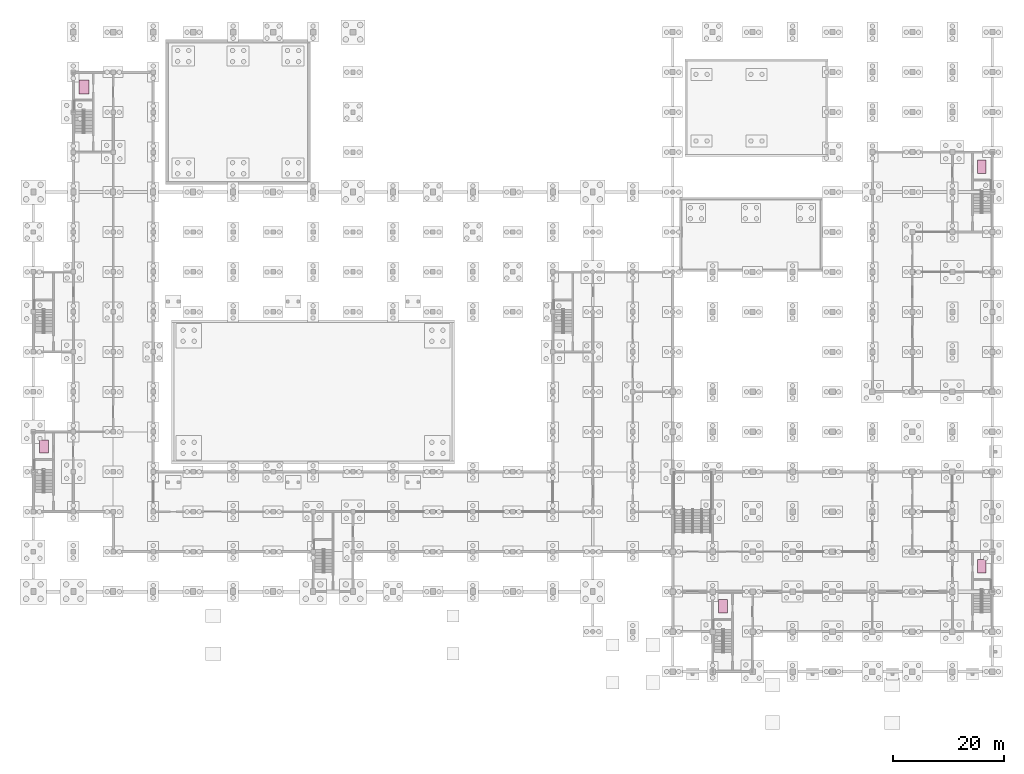
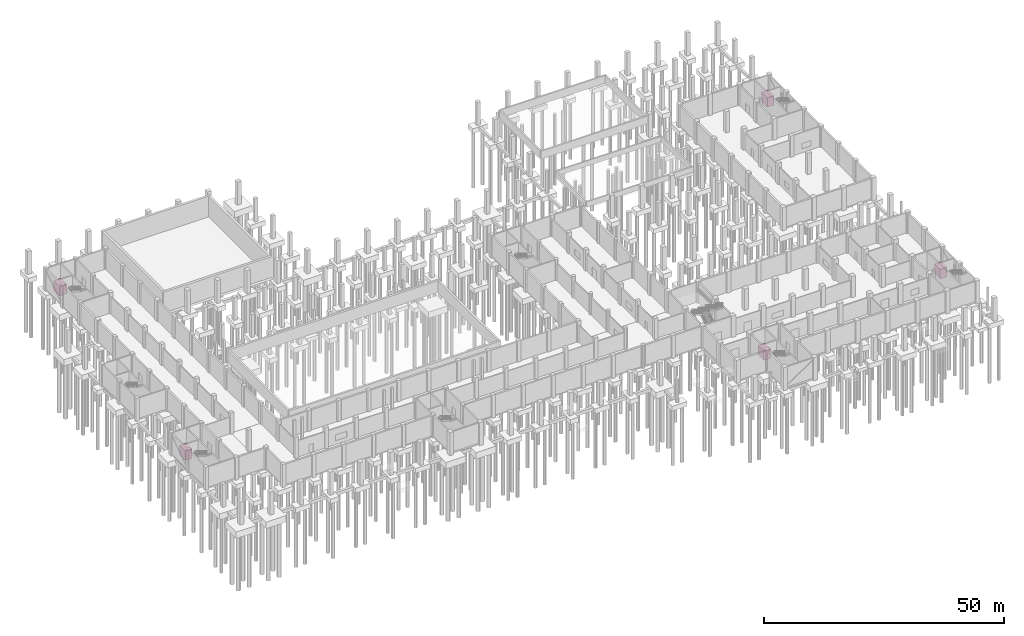
# One storey, part 35 of 35: 5 transport elements.
"""IFC4 building model written with IfcOpenShell, lengths in metres."""

from ifc_helpers import new_model, si_unit, direction, frame, origin, origin_2d, place, context, subcontext, project, spatial, rectangle, extrude, material, type_object, element, save


model = new_model("IFC4")

# Units and contexts
model_context = context("Model", 3, precision=1e-05, world=origin(), true_north=direction((0.0, 1.0)))
body_context = subcontext(model_context, "Body", "Model", "MODEL_VIEW")
ifc_project = project(units=[si_unit("LENGTHUNIT", "METRE"), si_unit("AREAUNIT", "SQUARE_METRE"), si_unit("VOLUMEUNIT", "CUBIC_METRE"), si_unit("PLANEANGLEUNIT", "RADIAN"), si_unit("MASSUNIT", "GRAM", prefix="KILO")], contexts=[model_context])

# Site, building, storey
site_placement = place(None, origin())
site = spatial("IfcSite", under=ifc_project, at=site_placement, CompositionType="ELEMENT")
building_placement = place(site_placement, origin())
building = spatial("IfcBuilding", under=site, at=building_placement, Name="Vesperath Aquatics Centre", CompositionType="ELEMENT")
storey_placement = place(building_placement, frame((0.0, 0.0, -5.39990234375)))
storey = spatial("IfcBuildingStorey", under=building, at=storey_placement, Name="B1", CompositionType="ELEMENT", Elevation=-5.39990234375)

# Transport elements
ifc_material = material(Name="Brushed stainless steel lift cab", Category="steel")
transport_element_type_1 = type_object("IfcTransportElementType", Name="LF-LFT-FF1", PredefinedType="ELEVATOR", material=ifc_material)
transport_element_1_placement = place(storey_placement, frame((124.300048828125, 11.75, 0.0), z_axis=(0.0, 0.0, 1.0), x_axis=(1.0, 0.0, 0.0)))
element("IfcTransportElement", 1, at=transport_element_1_placement, inside=storey, type_object=transport_element_type_1, Name="Firefighting Lift LFT-FF1", PredefinedType="ELEVATOR", context=body_context, shape_type="SweptSolid", body=[
    extrude(rectangle(XDim=1.60009765625, YDim=2.39990234375, at=origin_2d()), origin(), (0.0, 0.0, 1.0), 2.449951171875),
])
transport_element_type_2 = type_object("IfcTransportElementType", Name="LF-LFT-FF2", PredefinedType="ELEVATOR", material=ifc_material)
transport_element_2_placement = place(storey_placement, frame((170.89990234375, 18.949951171875, 0.0), z_axis=(0.0, 0.0, 1.0), x_axis=(1.0, 0.0, 0.0)))
element("IfcTransportElement", 2, at=transport_element_2_placement, inside=storey, type_object=transport_element_type_2, Name="Firefighting Lift LFT-FF2", PredefinedType="ELEVATOR", context=body_context, shape_type="SweptSolid", body=[
    extrude(rectangle(XDim=1.60009765625, YDim=2.39990234375, at=origin_2d()), origin(), (0.0, 0.0, 1.0), 2.449951171875),
])
transport_element_type_3 = type_object("IfcTransportElementType", Name="LF-LFT-G1", PredefinedType="ELEVATOR", material=ifc_material)
transport_element_3_placement = place(storey_placement, frame((9.10009765625, 105.35009765625, 0.0), z_axis=(0.0, 0.0, 1.0), x_axis=(1.0, 0.0, 0.0)))
element("IfcTransportElement", 3, at=transport_element_3_placement, inside=storey, type_object=transport_element_type_3, Name="Passenger Lift LFT-G1", PredefinedType="ELEVATOR", context=body_context, shape_type="SweptSolid", body=[
    extrude(rectangle(XDim=1.800048828125, YDim=2.5, at=origin_2d()), origin(), (0.0, 0.0, 1.0), 2.449951171875),
])
transport_element_type_4 = type_object("IfcTransportElementType", Name="LF-LFT-P1", PredefinedType="ELEVATOR", material=ifc_material)
transport_element_4_placement = place(storey_placement, frame((1.89990234375, 40.550048828125, 0.0), z_axis=(0.0, 0.0, 1.0), x_axis=(1.0, 0.0, 0.0)))
element("IfcTransportElement", 4, at=transport_element_4_placement, inside=storey, type_object=transport_element_type_4, Name="Passenger Lift LFT-P1", PredefinedType="ELEVATOR", context=body_context, shape_type="SweptSolid", body=[
    extrude(rectangle(XDim=1.60009765625, YDim=2.39990234375, at=origin_2d()), origin(), (0.0, 0.0, 1.0), 2.449951171875),
])
transport_element_type_5 = type_object("IfcTransportElementType", Name="LF-LFT-P3", PredefinedType="ELEVATOR", material=ifc_material)
transport_element_5_placement = place(storey_placement, frame((170.89990234375, 90.949951171875, 0.0), z_axis=(0.0, 0.0, 1.0), x_axis=(1.0, 0.0, 0.0)))
element("IfcTransportElement", 5, at=transport_element_5_placement, inside=storey, type_object=transport_element_type_5, Name="Passenger Lift LFT-P3", PredefinedType="ELEVATOR", context=body_context, shape_type="SweptSolid", body=[
    extrude(rectangle(XDim=1.60009765625, YDim=2.39990234375, at=origin_2d()), origin(), (0.0, 0.0, 1.0), 2.449951171875),
])

save(model, "model.ifc")
